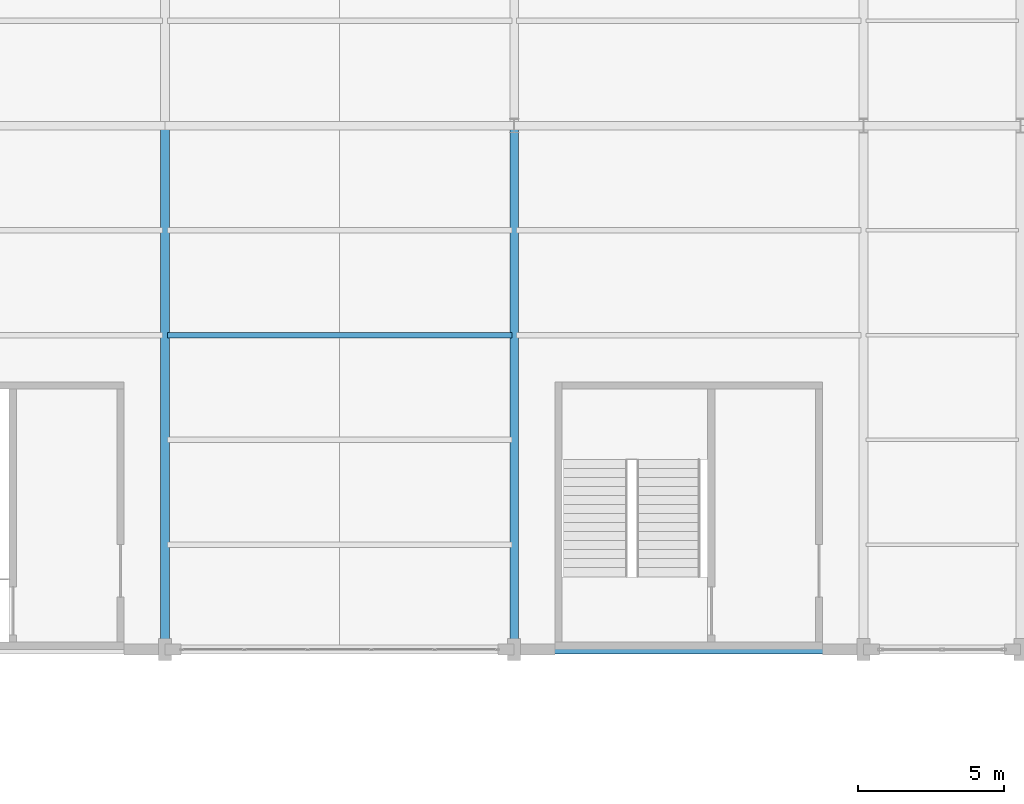
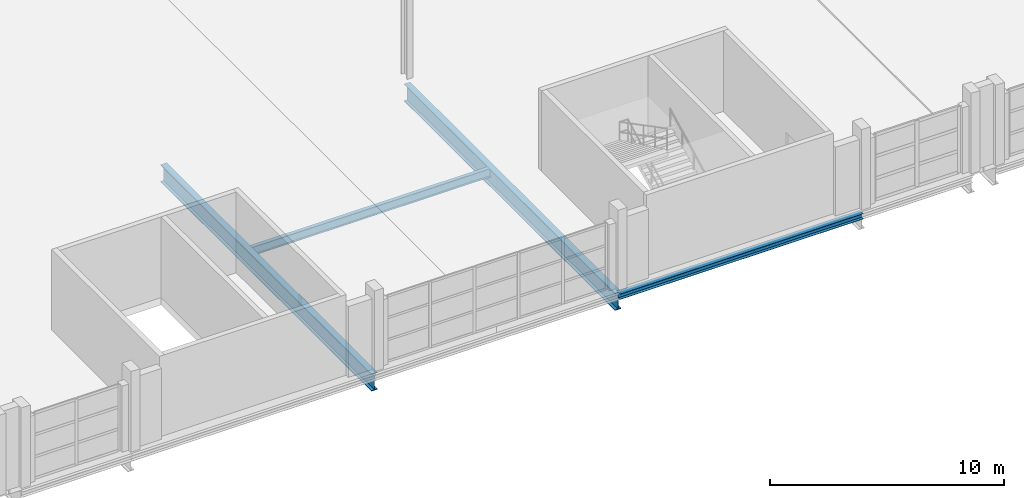
# One storey, part 92 of 147: 4 beams.
"""IFC4 building model written with IfcOpenShell, lengths in metres."""

from ifc_helpers import new_model, si_unit, direction, frame, origin, origin_2d, place, context, subcontext, project, spatial, i_section, extrude, material, material_profile, profile_set, type_object, element, save


model = new_model("IFC4")

# Units and contexts
model_context = context("Model", 3, precision=1e-05, world=origin(), true_north=direction((0.0, 1.0)))
body_context = subcontext(model_context, "Body", "Model", "MODEL_VIEW")
ifc_project = project(units=[si_unit("LENGTHUNIT", "METRE"), si_unit("AREAUNIT", "SQUARE_METRE"), si_unit("VOLUMEUNIT", "CUBIC_METRE"), si_unit("PLANEANGLEUNIT", "RADIAN"), si_unit("MASSUNIT", "GRAM", prefix="KILO")], contexts=[model_context])

# Site, building, storey
site_placement = place(None, origin())
site = spatial("IfcSite", under=ifc_project, at=site_placement, CompositionType="ELEMENT")
building_placement = place(site_placement, origin())
building = spatial("IfcBuilding", under=site, at=building_placement, Name="Zilviju Railside Exhibition Hall", CompositionType="ELEMENT")
storey_placement = place(building_placement, frame((0.0, 0.0, 8.39990234375)))
storey = spatial("IfcBuildingStorey", under=building, at=storey_placement, Name="L03", CompositionType="ELEMENT", Elevation=8.39990234375)

# Beams
ifc_material = material(Name="Steel S355J2", Category="steel")
ifc_material_profile_1 = material_profile(ifc_material, i_section(OverallWidth=0.300048828125, OverallDepth=0.2900390625, WebThickness=0.008544921875, FlangeThickness=0.013916015625, at=origin_2d()), Name="HEA 300")
ifc_profile_set_1 = profile_set([ifc_material_profile_1], Name="Steel S355J2")
beam_type_1 = type_object("IfcBeamType", Name="BM-HEA300", PredefinedType="SPANDREL", material=ifc_profile_set_1)
beam_1_placement = place(storey_placement, frame((156.0, 84.0, -0.52490234375), z_axis=(1.0, 0.0, 0.0), x_axis=(0.0, 1.0, 0.0)))
element("IfcBeam", 1, at=beam_1_placement, inside=storey, type_object=beam_type_1, Name="Primary Girder L03 Y=84.0 (156.0..168.0)", PredefinedType="SPANDREL", context=body_context, shape_type="SweptSolid", body=[
    extrude(i_section(OverallWidth=0.300048828125, OverallDepth=0.2900390625, WebThickness=0.008544921875, FlangeThickness=0.013916015625, at=origin_2d()), origin(), (0.0, 0.0, 1.0), 12.0),
])
ifc_material_profile_2 = material_profile(ifc_material, i_section(OverallWidth=0.300048828125, OverallDepth=0.89990234375, WebThickness=0.0185546875, FlangeThickness=0.034912109375, at=origin_2d()), Name="HEB 900")
ifc_profile_set_2 = profile_set([ifc_material_profile_2], Name="Steel S355J2")
beam_type_2 = type_object("IfcBeamType", Name="BM-HEB900", PredefinedType="BEAM", material=ifc_profile_set_2)
for number, where, z_axis, x_axis, name in (
    (2, (144.0, 84.0, -0.829833984375), (0.0, 1.0, 0.0), (-1.0, 0.0, 0.0), "Transverse Girder L03 X=144.0 (84.0..102.0)"),
    (3, (156.0, 84.0, -0.829833984375), (0.0, 1.0, 0.0), (-1.0, 0.0, 0.0), "Transverse Girder L03 X=156.0 (84.0..102.0)"),
):
    element("IfcBeam", number, at=place(storey_placement, frame(where, z_axis=z_axis, x_axis=x_axis)), inside=storey, type_object=beam_type_2, Name=name, PredefinedType="BEAM", context=body_context, shape_type="SweptSolid", body=[
        extrude(i_section(OverallWidth=0.300048828125, OverallDepth=0.89990234375, WebThickness=0.0185546875, FlangeThickness=0.034912109375, at=origin_2d()), origin(), (0.0, 0.0, 1.0), 18.0),
    ])
ifc_material_profile_3 = material_profile(ifc_material, i_section(OverallWidth=0.18994140625, OverallDepth=0.449951171875, WebThickness=0.009521484375, FlangeThickness=0.0146484375, at=origin_2d()), Name="IPE 450")
ifc_profile_set_3 = profile_set([ifc_material_profile_3], Name="Steel S355J2")
beam_type_3 = type_object("IfcBeamType", Name="BM-IPE450", PredefinedType="JOIST", material=ifc_profile_set_3)
beam_2_placement = place(storey_placement, frame((144.080078125, 94.800048828125, -0.60498046875), z_axis=(1.0, 0.0, 0.0), x_axis=(0.0, 1.0, 0.0)))
element("IfcBeam", 4, at=beam_2_placement, inside=storey, type_object=beam_type_3, Name="Composite Floor Joist L03 Y=94.80 (144.0..156.0)", PredefinedType="JOIST", context=body_context, shape_type="SweptSolid", body=[
    extrude(i_section(OverallWidth=0.18994140625, OverallDepth=0.449951171875, WebThickness=0.009521484375, FlangeThickness=0.0146484375, at=origin_2d()), origin(), (0.0, 0.0, 1.0), 11.83984375),
])

save(model, "model.ifc")
